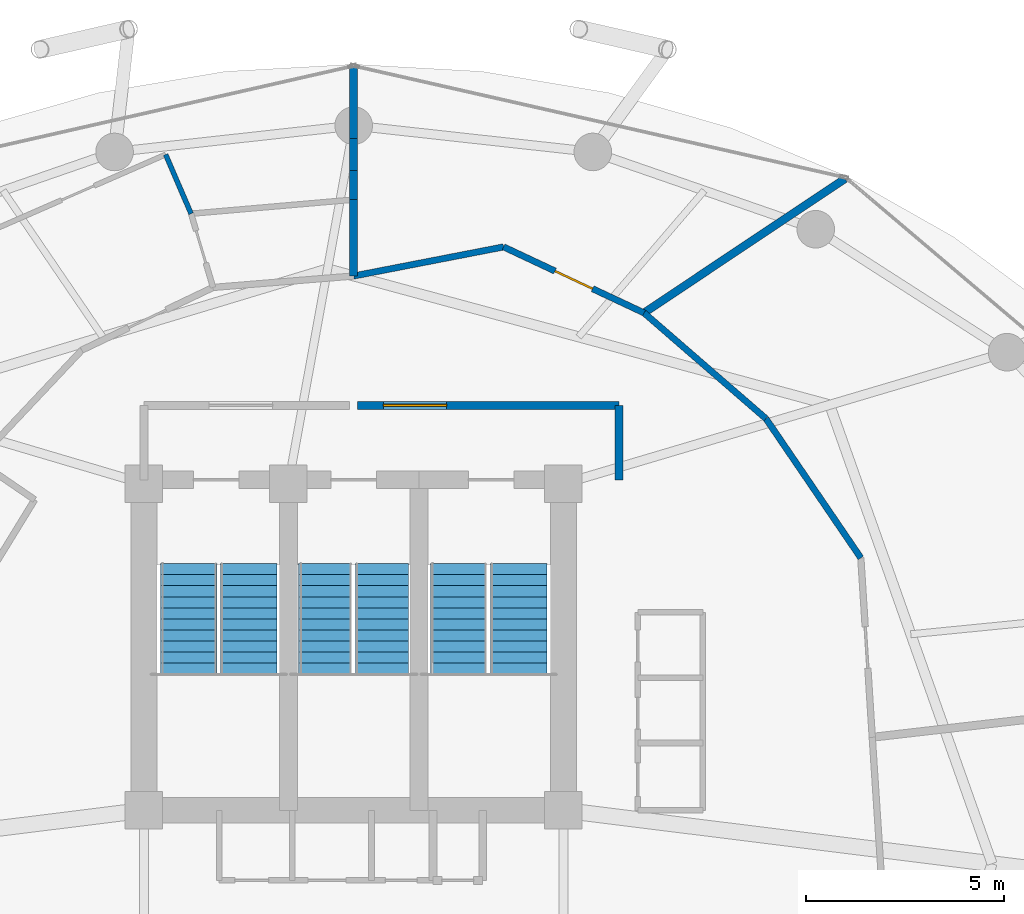
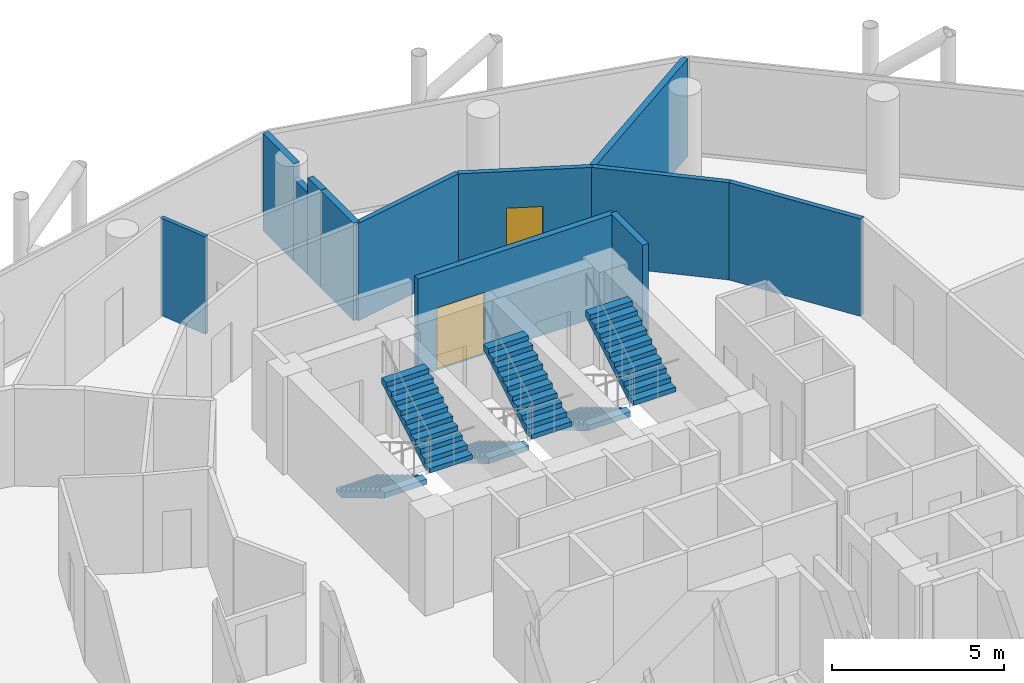
# One storey, part 25 of 26: 12 walls, 6 stair flights, 2 doors, 2 openings, 3 elements without a shape of their own.
"""IFC4 building model written with IfcOpenShell, lengths in metres."""

from ifc_helpers import new_model, si_unit, direction, frame, frame_2d, origin, place, context, subcontext, project, spatial, polyline, rectangle, outline, extrude, material, layer, layer_set, type_object, element, fill, aggregate, save


model = new_model("IFC4")

# Units and contexts
model_context = context("Model", 3, precision=1e-05, world=origin(), true_north=direction((0.0, 1.0)))
body_context = subcontext(model_context, "Body", "Model", "MODEL_VIEW")
ifc_project = project(units=[si_unit("LENGTHUNIT", "METRE"), si_unit("AREAUNIT", "SQUARE_METRE"), si_unit("VOLUMEUNIT", "CUBIC_METRE"), si_unit("PLANEANGLEUNIT", "RADIAN"), si_unit("MASSUNIT", "GRAM", prefix="KILO")], contexts=[model_context])

# Site, building, storey
site_placement = place(None, origin())
site = spatial("IfcSite", under=ifc_project, at=site_placement, CompositionType="ELEMENT")
building_placement = place(site_placement, origin())
building = spatial("IfcBuilding", under=site, at=building_placement, Name="Nuhasar Tower", CompositionType="ELEMENT")
storey_placement = place(building_placement, frame((0.0, 0.0, 136.75)))
storey = spatial("IfcBuildingStorey", under=building, at=storey_placement, Name="L32", CompositionType="ELEMENT", Elevation=136.75)

# Walls
ifc_material_1 = material(Name="Gypsum Board", Category="gypsum")
ifc_layer_1 = layer(ifc_material_1, 0.159912109375)
ifc_layer_set_1 = layer_set([ifc_layer_1], Name="Gypsum Board")
wall_type_1 = type_object("IfcWallType", Name="WL-CORR-160", PredefinedType="PARTITIONING", material=ifc_layer_set_1)
wall_1_placement = place(storey_placement, frame((51.81396484375, 35.427001953125, 0.0), z_axis=(0.0, 0.0, 1.0), x_axis=(-0.563005951341, 0.826452841217, 0.0)))
element("IfcWall", 1, at=wall_1_placement, inside=storey, type_object=wall_type_1, Name="L32 Interior Partition CORR-04", PredefinedType="PARTITIONING", context=body_context, shape_type="SweptSolid", body=[
    extrude(rectangle(XDim=4.25927734375, YDim=0.159912109375, at=frame_2d((2.129638671875, 0.0))), origin(), (0.0, 0.0, 1.0), 3.449951171875),
])
wall_2_placement = place(storey_placement, frame((49.416015625, 38.947021484375, 0.0), z_axis=(0.0, 0.0, 1.0), x_axis=(-0.755507271242, 0.655140262158, 0.0)))
element("IfcWall", 2, at=wall_2_placement, inside=storey, type_object=wall_type_1, Name="L32 Interior Partition CORR-06", PredefinedType="PARTITIONING", context=body_context, shape_type="SweptSolid", body=[
    extrude(rectangle(XDim=4.076904296875, YDim=0.159912109375, at=frame_2d((2.03857421875, 0.0))), origin(), (0.0, 0.0, 1.0), 3.449951171875),
])

# Wall, opening, door
wall_3_placement = place(storey_placement, frame((42.7880859375, 43.284912109375, 0.0), z_axis=(0.0, 0.0, 1.0), x_axis=(0.905072606702, -0.425257071192, 0.0)))
wall_3 = element("IfcWall", 3, at=wall_3_placement, inside=storey, type_object=wall_type_1, Name="L32 Interior Partition CORR-08", PredefinedType="PARTITIONING", context=body_context, shape_type="SweptSolid", body=[
    extrude(rectangle(XDim=3.919921875, YDim=0.159912109375, at=frame_2d((1.9599609375, 0.0))), origin(), (0.0, 0.0, 1.0), 3.449951171875),
])
opening_1_placement = place(wall_3_placement, frame((1.43505859375, 0.0, 0.0)))
opening_1 = element("IfcOpeningElement", 4, at=opening_1_placement, cuts=wall_3, Name="Opening DU-01", PredefinedType="OPENING", context=body_context, shape_type="SweptSolid", body=[
    extrude(rectangle(XDim=1.050048828125, YDim=2.14990234375, at=frame_2d((0.52490234375, 1.074951171875))), frame((0.0, 0.08984375, 0.0), z_axis=(0.0, -1.0, 0.0), x_axis=(1.0, 0.0, 0.0)), (0.0, 0.0, 1.0), 0.179931640625),
])
ifc_material_2 = material(Name="Timber Oak", Category="wood")
door_type_1 = type_object("IfcDoorType", Name="DR-SUITE-FD60-1050", OperationType="NOTDEFINED", PredefinedType="DOOR", material=ifc_material_2)
door_1_placement = place(opening_1_placement, origin())
door_1 = element("IfcDoor", 5, at=door_1_placement, inside=storey, type_object=door_type_1, Name="L32 Pastry Service Kitchen Entrance Door", OperationType="SINGLE_SWING_LEFT", OverallHeight=2.14990234375, OverallWidth=1.050048828125, PredefinedType="DOOR", context=body_context, shape_type="SweptSolid", body=[
    extrude(rectangle(XDim=1.050048828125, YDim=2.14990234375, at=frame_2d((0.52490234375, 1.074951171875))), frame((0.0, 0.02490234375, 0.0), z_axis=(0.0, -1.0, 0.0), x_axis=(1.0, 0.0, 0.0)), (0.0, 0.0, 1.0), 0.050048828125),
])
fill(opening_1, door_1)

# Walls
wall_4_placement = place(storey_placement, frame((42.7880859375, 43.284912109375, 0.0), z_axis=(0.0, 0.0, 1.0), x_axis=(-0.981698277118, -0.190442885674, 0.0)))
element("IfcWall", 6, at=wall_4_placement, inside=storey, type_object=wall_type_1, Name="L32 Interior Partition CORR-10", PredefinedType="PARTITIONING", context=body_context, shape_type="SweptSolid", body=[
    extrude(rectangle(XDim=3.858642578125, YDim=0.159912109375, at=frame_2d((1.92919921875, 0.0))), origin(), (0.0, 0.0, 1.0), 3.449951171875),
])
ifc_material_3 = material(Name="Concrete C45/55", Category="concrete")
ifc_layer_2 = layer(ifc_material_3, 0.199951171875)
ifc_layer_set_2 = layer_set([ifc_layer_2], Name="Concrete C45/55")
wall_type_2 = type_object("IfcWallType", Name="WL-LOBBY-200", PredefinedType="SOLIDWALL", material=ifc_layer_set_2)
wall_5_placement = place(storey_placement, frame((45.699951171875, 37.39990234375, 0.0), z_axis=(0.0, 0.0, 1.0), x_axis=(0.0, 1.0, 0.0)))
element("IfcWall", 7, at=wall_5_placement, inside=storey, type_object=wall_type_2, Name="L32 Interior Partition NSL-E", PredefinedType="SOLIDWALL", context=body_context, shape_type="SweptSolid", body=[
    extrude(rectangle(XDim=1.880126953125, YDim=0.199951171875, at=frame_2d((0.93994140625, 0.0))), origin(), (0.0, 0.0, 1.0), 3.449951171875),
])

# Wall, opening, door
wall_6_placement = place(storey_placement, frame((45.699951171875, 39.280029296875, 0.0), z_axis=(0.0, 0.0, 1.0), x_axis=(-1.0, 0.0, 0.0)))
wall_6 = element("IfcWall", 8, at=wall_6_placement, inside=storey, type_object=wall_type_2, Name="L32 Interior Partition NSL-N2", PredefinedType="SOLIDWALL", context=body_context, shape_type="SweptSolid", body=[
    extrude(rectangle(XDim=6.599853515625, YDim=0.199951171875, at=frame_2d((3.2998046875, 0.0))), origin(), (0.0, 0.0, 1.0), 3.449951171875),
])
opening_2_placement = place(wall_6_placement, frame((4.35009765625, 0.0, 0.0)))
opening_2 = element("IfcOpeningElement", 9, at=opening_2_placement, cuts=wall_6, Name="Opening DC-01", PredefinedType="OPENING", context=body_context, shape_type="SweptSolid", body=[
    extrude(rectangle(XDim=1.60009765625, YDim=2.199951171875, at=frame_2d((0.800048828125, 1.10009765625))), frame((0.0, 0.10986328125, 0.0), z_axis=(0.0, -1.0, 0.0), x_axis=(1.0, 0.0, 0.0)), (0.0, 0.0, 1.0), 0.219970703125),
])
ifc_material_4 = material(Name="Steel S355", Category="steel")
door_type_2 = type_object("IfcDoorType", Name="DR-CORR-FD60-1600", OperationType="DOUBLE_DOOR_SINGLE_SWING", PredefinedType="DOOR", material=ifc_material_4)
door_2_placement = place(opening_2_placement, origin())
door_2 = element("IfcDoor", 10, at=door_2_placement, inside=storey, type_object=door_type_2, Name="L32 North Stair Lobby East Door", OperationType="DOUBLE_DOOR_SINGLE_SWING", OverallHeight=2.199951171875, OverallWidth=1.60009765625, PredefinedType="DOOR", context=body_context, shape_type="SweptSolid", body=[
    extrude(rectangle(XDim=1.60009765625, YDim=2.199951171875, at=frame_2d((0.800048828125, 1.10009765625))), frame((0.0, 0.02490234375, 0.0), z_axis=(0.0, -1.0, 0.0), x_axis=(1.0, 0.0, 0.0)), (0.0, 0.0, 1.0), 0.050048828125),
])
fill(opening_2, door_2)

# Walls
ifc_layer_3 = layer(ifc_material_1, 0.125)
ifc_layer_set_3 = layer_set([ifc_layer_3], Name="Gypsum Board")
wall_type_3 = type_object("IfcWallType", Name="WL-PART-125", PredefinedType="PARTITIONING", material=ifc_layer_set_3)
wall_7_placement = place(storey_placement, frame((34.89111328125, 44.1240234375, 0.0), z_axis=(0.0, 0.0, 1.0), x_axis=(-0.395168288511, 0.918608743566, 0.0)))
element("IfcWall", 11, at=wall_7_placement, inside=storey, type_object=wall_type_3, Name="L32 Interior Partition HBS-06", PredefinedType="PARTITIONING", context=body_context, shape_type="SweptSolid", body=[
    extrude(rectangle(XDim=1.62744140625, YDim=0.125, at=frame_2d((0.813720703125, 0.0))), origin(), (0.0, 0.0, 1.0), 3.449951171875),
])
ifc_material_5 = material(Name="Concrete C40/50 precast", Category="concrete")
ifc_layer_4 = layer(ifc_material_5, 0.199951171875)
ifc_layer_set_4 = layer_set([ifc_layer_4], Name="Concrete C40/50 precast")
wall_type_4 = type_object("IfcWallType", Name="WL-UNIT-200", PredefinedType="PARTITIONING", material=ifc_layer_set_4)
wall_8_placement = place(storey_placement, frame((46.3359375, 41.617919921875, 0.0), z_axis=(0.0, 0.0, 1.0), x_axis=(0.831644013248, 0.555309134832, 0.0)))
element("IfcWall", 12, at=wall_8_placement, inside=storey, type_object=wall_type_4, Name="L32 Interior Partition HRAD-08", PredefinedType="PARTITIONING", context=body_context, shape_type="SweptSolid", body=[
    extrude(rectangle(XDim=6.10498046875, YDim=0.199951171875, at=frame_2d((3.052490234375, 0.0))), origin(), (0.0, 0.0, 1.0), 3.449951171875),
])
wall_9_placement = place(storey_placement, frame((39.0, 42.550048828125, 0.0), z_axis=(0.0, 0.0, 1.0), x_axis=(0.0, 1.0, 0.0)))
element("IfcWall", 13, at=wall_9_placement, inside=storey, type_object=wall_type_4, Name="L32 Interior Partition HRAD-12-S1", PredefinedType="PARTITIONING", context=body_context, shape_type="SweptSolid", body=[
    extrude(rectangle(XDim=1.929931640625, YDim=0.199951171875, at=frame_2d((0.96484375, 0.0))), origin(), (0.0, 0.0, 1.0), 3.449951171875),
])
wall_10_placement = place(storey_placement, frame((39.0, 44.47998046875, 0.0), z_axis=(0.0, 0.0, 1.0), x_axis=(0.0, 1.0, 0.0)))
element("IfcWall", 14, at=wall_10_placement, inside=storey, type_object=wall_type_4, Name="L32 Interior Partition HRAD-12-S2", PredefinedType="PARTITIONING", context=body_context, shape_type="SweptSolid", body=[
    extrude(rectangle(XDim=0.739013671875, YDim=0.199951171875, at=frame_2d((0.36962890625, 0.0))), origin(), (0.0, 0.0, 1.0), 3.449951171875),
])
wall_11_placement = place(storey_placement, frame((39.0, 45.218994140625, 0.0), z_axis=(0.0, 0.0, 1.0), x_axis=(0.0, 1.0, 0.0)))
element("IfcWall", 15, at=wall_11_placement, inside=storey, type_object=wall_type_4, Name="L32 Interior Partition HRAD-12-S2", PredefinedType="PARTITIONING", context=body_context, shape_type="SweptSolid", body=[
    extrude(rectangle(XDim=0.81103515625, YDim=0.199951171875, at=frame_2d((0.405517578125, 0.0))), origin(), (0.0, 0.0, 1.0), 2.9150390625),
])
wall_12_placement = place(storey_placement, frame((39.0, 46.030029296875, 0.0), z_axis=(0.0, 0.0, 1.0), x_axis=(0.0, 1.0, 0.0)))
element("IfcWall", 16, at=wall_12_placement, inside=storey, type_object=wall_type_4, Name="L32 Interior Partition HRAD-12-S3", PredefinedType="PARTITIONING", context=body_context, shape_type="SweptSolid", body=[
    extrude(rectangle(XDim=1.794921875, YDim=0.199951171875, at=frame_2d((0.8974609375, 0.0))), origin(), (0.0, 0.0, 1.0), 3.449951171875),
])

# Stair, stair flights
stair_type_1 = type_object("IfcStairType", Name="STR-ST-01-2F-22R-1682", PredefinedType="HALF_TURN_STAIR", material=ifc_material_3)
stair_1_placement = place(storey_placement, origin())
stair_1 = element("IfcStair", 17, at=stair_1_placement, inside=storey, type_object=stair_type_1, Name="L32 Exit Stair ST-01", PredefinedType="HALF_TURN_STAIR")
stair_flight_type_1 = type_object("IfcStairFlightType", Name="SFL-ST-01-11R-1682", PredefinedType="STRAIGHT", material=ifc_material_3)
stair_flight_1_placement = place(storey_placement, frame((34.830078125, 35.284912109375, 0.0), z_axis=(0.0, 0.0, 1.0), x_axis=(0.0, -1.0, 0.0)))
stair_flight_1 = element("IfcStairFlight", 18, at=stair_flight_1_placement, type_object=stair_flight_type_1, Name="ST-01 flight 1", NumberOfRisers=11, NumberOfTreads=10, PredefinedType="STRAIGHT", RiserHeight=0.168182, TreadLength=0.28, context=body_context, shape_type="SweptSolid", body=[
    extrude(outline(polyline([(0.0, 0.0), (0.0, 0.168212890625), (0.280029296875, 0.168212890625), (0.280029296875, 0.33642578125), (0.56005859375, 0.33642578125), (0.56005859375, 0.504638671875), (0.840087890625, 0.504638671875), (0.840087890625, 0.672607421875), (1.1201171875, 0.672607421875), (1.1201171875, 0.8408203125), (1.39990234375, 0.8408203125), (1.39990234375, 1.009033203125), (1.679931640625, 1.009033203125), (1.679931640625, 1.17724609375), (1.9599609375, 1.17724609375), (1.9599609375, 1.345458984375), (2.239990234375, 1.345458984375), (2.239990234375, 1.513671875), (2.52001953125, 1.513671875), (2.52001953125, 1.681884765625), (2.800048828125, 1.681884765625), (2.800048828125, 1.85009765625), (2.800048828125, 1.495361328125), (0.310546875, 0.0), (0.0, 0.0)])), frame((0.0, 0.7099609375, 0.0), z_axis=(0.0, -1.0, 0.0), x_axis=(1.0, 0.0, 0.0)), (0.0, 0.0, 1.0), 1.419921875),
])
stair_flight_2_placement = place(storey_placement, frame((36.35009765625, 32.485107421875, 1.85009765625), z_axis=(0.0, 0.0, 1.0), x_axis=(0.0, 1.0, 0.0)))
stair_flight_2 = element("IfcStairFlight", 19, at=stair_flight_2_placement, type_object=stair_flight_type_1, Name="ST-01 flight 2", NumberOfRisers=11, NumberOfTreads=10, PredefinedType="STRAIGHT", RiserHeight=0.168182, TreadLength=0.28, context=body_context, shape_type="SweptSolid", body=[
    extrude(outline(polyline([(0.0, 0.0), (0.0, 0.168212890625), (0.280029296875, 0.168212890625), (0.280029296875, 0.33642578125), (0.56005859375, 0.33642578125), (0.56005859375, 0.504638671875), (0.840087890625, 0.504638671875), (0.840087890625, 0.672607421875), (1.1201171875, 0.672607421875), (1.1201171875, 0.8408203125), (1.39990234375, 0.8408203125), (1.39990234375, 1.009033203125), (1.679931640625, 1.009033203125), (1.679931640625, 1.17724609375), (1.9599609375, 1.17724609375), (1.9599609375, 1.345458984375), (2.239990234375, 1.345458984375), (2.239990234375, 1.513671875), (2.52001953125, 1.513671875), (2.52001953125, 1.681884765625), (2.800048828125, 1.681884765625), (2.800048828125, 1.85009765625), (2.800048828125, 1.495361328125), (0.310546875, 0.0), (0.0, 0.0)])), frame((0.0, 0.7099609375, 0.0), z_axis=(0.0, -1.0, 0.0), x_axis=(1.0, 0.0, 0.0)), (0.0, 0.0, 1.0), 1.419921875),
])
aggregate(stair_1, [stair_flight_1, stair_flight_2])

stair_type_2 = type_object("IfcStairType", Name="STR-ST-02-2F-22R-1682", PredefinedType="HALF_TURN_STAIR", material=ifc_material_3)
stair_2_placement = place(storey_placement, origin())
stair_2 = element("IfcStair", 20, at=stair_2_placement, inside=storey, type_object=stair_type_2, Name="L32 Exit Stair ST-02", PredefinedType="HALF_TURN_STAIR")
stair_flight_type_2 = type_object("IfcStairFlightType", Name="SFL-ST-02-11R-1682", PredefinedType="STRAIGHT", material=ifc_material_3)
stair_flight_3_placement = place(storey_placement, frame((41.64990234375, 35.284912109375, 0.0), z_axis=(0.0, 0.0, 1.0), x_axis=(0.0, -1.0, 0.0)))
stair_flight_3 = element("IfcStairFlight", 21, at=stair_flight_3_placement, type_object=stair_flight_type_2, Name="ST-02 flight 1", NumberOfRisers=11, NumberOfTreads=10, PredefinedType="STRAIGHT", RiserHeight=0.168182, TreadLength=0.28, context=body_context, shape_type="SweptSolid", body=[
    extrude(outline(polyline([(0.0, 0.0), (0.0, 0.168212890625), (0.280029296875, 0.168212890625), (0.280029296875, 0.33642578125), (0.56005859375, 0.33642578125), (0.56005859375, 0.504638671875), (0.840087890625, 0.504638671875), (0.840087890625, 0.672607421875), (1.1201171875, 0.672607421875), (1.1201171875, 0.8408203125), (1.39990234375, 0.8408203125), (1.39990234375, 1.009033203125), (1.679931640625, 1.009033203125), (1.679931640625, 1.17724609375), (1.9599609375, 1.17724609375), (1.9599609375, 1.345458984375), (2.239990234375, 1.345458984375), (2.239990234375, 1.513671875), (2.52001953125, 1.513671875), (2.52001953125, 1.681884765625), (2.800048828125, 1.681884765625), (2.800048828125, 1.85009765625), (2.800048828125, 1.495361328125), (0.310546875, 0.0), (0.0, 0.0)])), frame((0.0, 0.7099609375, 0.0), z_axis=(0.0, -1.0, 0.0), x_axis=(1.0, 0.0, 0.0)), (0.0, 0.0, 1.0), 1.419921875),
])
stair_flight_4_placement = place(storey_placement, frame((43.169921875, 32.485107421875, 1.85009765625), z_axis=(0.0, 0.0, 1.0), x_axis=(0.0, 1.0, 0.0)))
stair_flight_4 = element("IfcStairFlight", 22, at=stair_flight_4_placement, type_object=stair_flight_type_2, Name="ST-02 flight 2", NumberOfRisers=11, NumberOfTreads=10, PredefinedType="STRAIGHT", RiserHeight=0.168182, TreadLength=0.28, context=body_context, shape_type="SweptSolid", body=[
    extrude(outline(polyline([(0.0, 0.0), (0.0, 0.168212890625), (0.280029296875, 0.168212890625), (0.280029296875, 0.33642578125), (0.56005859375, 0.33642578125), (0.56005859375, 0.504638671875), (0.840087890625, 0.504638671875), (0.840087890625, 0.672607421875), (1.1201171875, 0.672607421875), (1.1201171875, 0.8408203125), (1.39990234375, 0.8408203125), (1.39990234375, 1.009033203125), (1.679931640625, 1.009033203125), (1.679931640625, 1.17724609375), (1.9599609375, 1.17724609375), (1.9599609375, 1.345458984375), (2.239990234375, 1.345458984375), (2.239990234375, 1.513671875), (2.52001953125, 1.513671875), (2.52001953125, 1.681884765625), (2.800048828125, 1.681884765625), (2.800048828125, 1.85009765625), (2.800048828125, 1.495361328125), (0.310546875, 0.0), (0.0, 0.0)])), frame((0.0, 0.7099609375, 0.0), z_axis=(0.0, -1.0, 0.0), x_axis=(1.0, 0.0, 0.0)), (0.0, 0.0, 1.0), 1.419921875),
])
aggregate(stair_2, [stair_flight_3, stair_flight_4])

stair_type_3 = type_object("IfcStairType", Name="STR-ST-03-2F-22R-1682", PredefinedType="HALF_TURN_STAIR", material=ifc_material_3)
stair_3_placement = place(storey_placement, origin())
stair_3 = element("IfcStair", 23, at=stair_3_placement, inside=storey, type_object=stair_type_3, Name="L32 Exit Stair ST-03", PredefinedType="HALF_TURN_STAIR")
stair_flight_type_3 = type_object("IfcStairFlightType", Name="SFL-ST-03-11R-1682", PredefinedType="STRAIGHT", material=ifc_material_3)
stair_flight_5_placement = place(storey_placement, frame((38.280029296875, 35.284912109375, 0.0), z_axis=(0.0, 0.0, 1.0), x_axis=(0.0, -1.0, 0.0)))
stair_flight_5 = element("IfcStairFlight", 24, at=stair_flight_5_placement, type_object=stair_flight_type_3, Name="ST-03 flight 1", NumberOfRisers=11, NumberOfTreads=10, PredefinedType="STRAIGHT", RiserHeight=0.168182, TreadLength=0.28, context=body_context, shape_type="SweptSolid", body=[
    extrude(outline(polyline([(0.0, 0.0), (0.0, 0.168212890625), (0.280029296875, 0.168212890625), (0.280029296875, 0.33642578125), (0.56005859375, 0.33642578125), (0.56005859375, 0.504638671875), (0.840087890625, 0.504638671875), (0.840087890625, 0.672607421875), (1.1201171875, 0.672607421875), (1.1201171875, 0.8408203125), (1.39990234375, 0.8408203125), (1.39990234375, 1.009033203125), (1.679931640625, 1.009033203125), (1.679931640625, 1.17724609375), (1.9599609375, 1.17724609375), (1.9599609375, 1.345458984375), (2.239990234375, 1.345458984375), (2.239990234375, 1.513671875), (2.52001953125, 1.513671875), (2.52001953125, 1.681884765625), (2.800048828125, 1.681884765625), (2.800048828125, 1.85009765625), (2.800048828125, 1.495361328125), (0.310546875, 0.0), (0.0, 0.0)])), frame((0.0, 0.669921875, 0.0), z_axis=(0.0, -1.0, 0.0), x_axis=(1.0, 0.0, 0.0)), (0.0, 0.0, 1.0), 1.340087890625),
])
stair_flight_6_placement = place(storey_placement, frame((39.719970703125, 32.485107421875, 1.85009765625), z_axis=(0.0, 0.0, 1.0), x_axis=(0.0, 1.0, 0.0)))
stair_flight_6 = element("IfcStairFlight", 25, at=stair_flight_6_placement, type_object=stair_flight_type_3, Name="ST-03 flight 2", NumberOfRisers=11, NumberOfTreads=10, PredefinedType="STRAIGHT", RiserHeight=0.168182, TreadLength=0.28, context=body_context, shape_type="SweptSolid", body=[
    extrude(outline(polyline([(0.0, 0.0), (0.0, 0.168212890625), (0.280029296875, 0.168212890625), (0.280029296875, 0.33642578125), (0.56005859375, 0.33642578125), (0.56005859375, 0.504638671875), (0.840087890625, 0.504638671875), (0.840087890625, 0.672607421875), (1.1201171875, 0.672607421875), (1.1201171875, 0.8408203125), (1.39990234375, 0.8408203125), (1.39990234375, 1.009033203125), (1.679931640625, 1.009033203125), (1.679931640625, 1.17724609375), (1.9599609375, 1.17724609375), (1.9599609375, 1.345458984375), (2.239990234375, 1.345458984375), (2.239990234375, 1.513671875), (2.52001953125, 1.513671875), (2.52001953125, 1.681884765625), (2.800048828125, 1.681884765625), (2.800048828125, 1.85009765625), (2.800048828125, 1.495361328125), (0.310546875, 0.0), (0.0, 0.0)])), frame((0.0, 0.669921875, 0.0), z_axis=(0.0, -1.0, 0.0), x_axis=(1.0, 0.0, 0.0)), (0.0, 0.0, 1.0), 1.340087890625),
])
aggregate(stair_3, [stair_flight_5, stair_flight_6])

save(model, "model.ifc")
